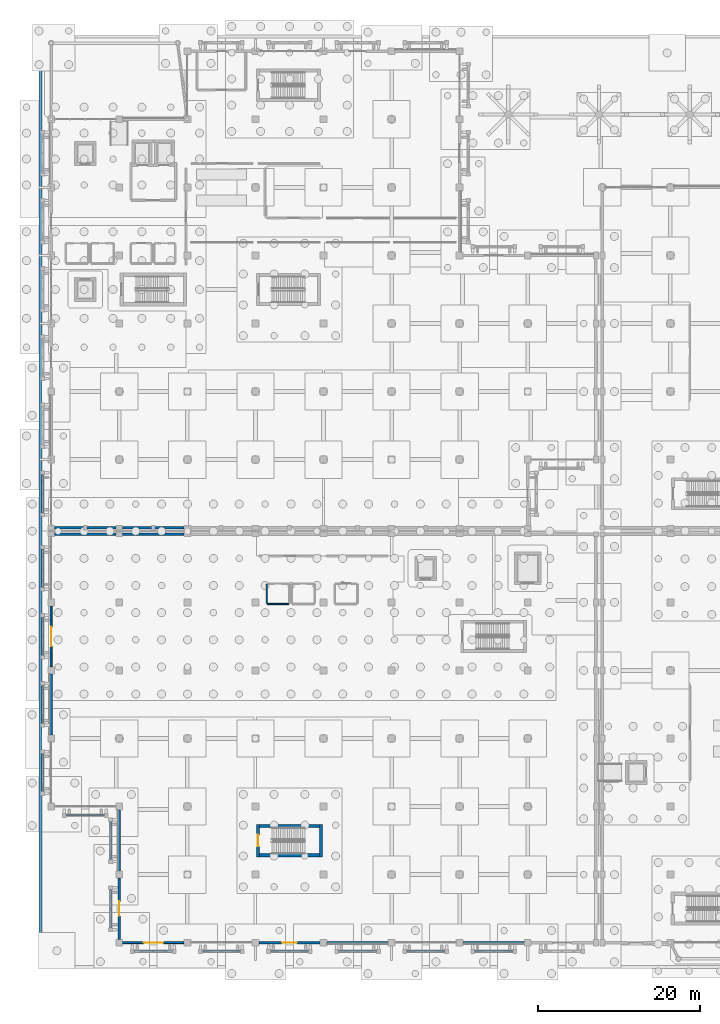
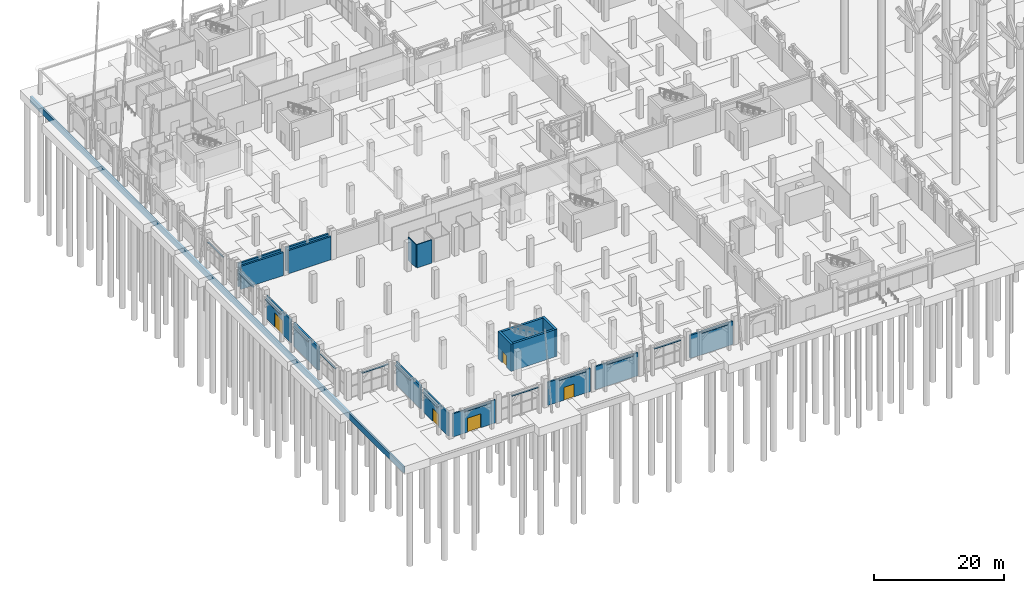
# One storey, part 61 of 98: 33 walls, 5 doors, 5 openings.
"""IFC4 building model written with IfcOpenShell, lengths in metres."""

from ifc_helpers import new_model, si_unit, direction, frame, frame_2d, origin, place, context, subcontext, project, spatial, rectangle, extrude, material, layer, layer_set, type_object, element, fill, save


model = new_model("IFC4")

# Units and contexts
model_context = context("Model", 3, precision=1e-05, world=origin(), true_north=direction((0.0, 1.0)))
body_context = subcontext(model_context, "Body", "Model", "MODEL_VIEW")
ifc_project = project(units=[si_unit("LENGTHUNIT", "METRE"), si_unit("AREAUNIT", "SQUARE_METRE"), si_unit("VOLUMEUNIT", "CUBIC_METRE"), si_unit("PLANEANGLEUNIT", "RADIAN"), si_unit("MASSUNIT", "GRAM", prefix="KILO")], contexts=[model_context])

# Site, building, storey
site_placement = place(None, origin())
site = spatial("IfcSite", under=ifc_project, at=site_placement, CompositionType="ELEMENT")
building_placement = place(site_placement, origin())
building = spatial("IfcBuilding", under=site, at=building_placement, Name="Xazarin Passage Department Store", CompositionType="ELEMENT")
storey_placement = place(building_placement, origin())
storey = spatial("IfcBuildingStorey", under=building, at=storey_placement, Name="L00", CompositionType="ELEMENT", Elevation=0.0)

# Wall, opening, door
ifc_material_1 = material(Name="Precast concrete C40/50", Category="concrete")
ifc_layer_1 = layer(ifc_material_1, 0.239990234375)
ifc_layer_set_1 = layer_set([ifc_layer_1], Name="Precast concrete C40/50")
wall_type_1 = type_object("IfcWallType", Name="ARC-W-EXT240", PredefinedType="SOLIDWALL", material=ifc_layer_set_1)
wall_1_placement = place(storey_placement, frame((8.824951171875, 0.0, 0.0), z_axis=(0.0, 0.0, 1.0), x_axis=(1.0, 0.0, 0.0)))
wall_1 = element("IfcWall", 1, at=wall_1_placement, inside=storey, type_object=wall_type_1, Name="L00 V3 Exterior Wall 182", PredefinedType="SOLIDWALL", context=body_context, shape_type="SweptSolid", body=[
    extrude(rectangle(XDim=7.550048828125, YDim=0.239990234375, at=frame_2d((3.77490234375, 0.0))), origin(), (0.0, 0.0, 1.0), 4.330078125),
])
opening_1_placement = place(wall_1_placement, frame((2.574951171875, 0.0, 0.0)))
opening_1 = element("IfcOpeningElement", 2, at=opening_1_placement, cuts=wall_1, Name="Opening ED1", PredefinedType="OPENING", context=body_context, shape_type="SweptSolid", body=[
    extrude(rectangle(XDim=2.39990234375, YDim=2.60009765625, at=frame_2d((1.199951171875, 1.300048828125))), frame((0.0, 0.1298828125, 0.0), z_axis=(0.0, -1.0, 0.0), x_axis=(1.0, 0.0, 0.0)), (0.0, 0.0, 1.0), 0.260009765625),
])
ifc_material_2 = material(Name="Bronze anodised aluminium", Category="aluminium")
door_type_1 = type_object("IfcDoorType", Name="ARC-DR-ENT240", OperationType="NOTDEFINED", PredefinedType="DOOR", material=ifc_material_2)
door_1_placement = place(opening_1_placement, origin())
door_1 = element("IfcDoor", 3, at=door_1_placement, inside=storey, type_object=door_type_1, Name="DR-EXT-015", OperationType="DOUBLE_DOOR_SINGLE_SWING", OverallHeight=2.60009765625, OverallWidth=2.39990234375, PredefinedType="DOOR", context=body_context, shape_type="SweptSolid", body=[
    extrude(rectangle(XDim=2.39990234375, YDim=2.60009765625, at=frame_2d((1.199951171875, 1.300048828125))), frame((0.0, 0.02490234375, 0.0), z_axis=(0.0, -1.0, 0.0), x_axis=(1.0, 0.0, 0.0)), (0.0, 0.0, 1.0), 0.050048828125),
])
fill(opening_1, door_1)

wall_2_placement = place(storey_placement, frame((0.0, 34.02490234375, 0.0), z_axis=(0.0, 0.0, 1.0), x_axis=(0.0, 1.0, 0.0)))
wall_2 = element("IfcWall", 4, at=wall_2_placement, inside=storey, type_object=wall_type_1, Name="L00 V3 Exterior Wall 196", PredefinedType="SOLIDWALL", context=body_context, shape_type="SweptSolid", body=[
    extrude(rectangle(XDim=7.550048828125, YDim=0.239990234375, at=frame_2d((3.77490234375, 0.0))), origin(), (0.0, 0.0, 1.0), 4.330078125),
])
opening_2_placement = place(wall_2_placement, frame((2.574951171875, 0.0, 0.0)))
opening_2 = element("IfcOpeningElement", 5, at=opening_2_placement, cuts=wall_2, Name="Opening ED1", PredefinedType="OPENING", context=body_context, shape_type="SweptSolid", body=[
    extrude(rectangle(XDim=2.39990234375, YDim=2.60009765625, at=frame_2d((1.199951171875, 1.300048828125))), frame((0.0, 0.1298828125, 0.0), z_axis=(0.0, -1.0, 0.0), x_axis=(1.0, 0.0, 0.0)), (0.0, 0.0, 1.0), 0.260009765625),
])
door_2_placement = place(opening_2_placement, origin())
door_2 = element("IfcDoor", 6, at=door_2_placement, inside=storey, type_object=door_type_1, Name="DR-EXT-018", OperationType="DOUBLE_DOOR_SINGLE_SWING", OverallHeight=2.60009765625, OverallWidth=2.39990234375, PredefinedType="DOOR", context=body_context, shape_type="SweptSolid", body=[
    extrude(rectangle(XDim=2.39990234375, YDim=2.60009765625, at=frame_2d((1.199951171875, 1.300048828125))), frame((0.0, 0.02490234375, 0.0), z_axis=(0.0, -1.0, 0.0), x_axis=(1.0, 0.0, 0.0)), (0.0, 0.0, 1.0), 0.050048828125),
])
fill(opening_2, door_2)

ifc_layer_2 = layer(ifc_material_1, 0.260009765625)
ifc_layer_set_2 = layer_set([ifc_layer_2], Name="Precast concrete C40/50")
wall_type_2 = type_object("IfcWallType", Name="ARC-W-EXT260", PredefinedType="SOLIDWALL", material=ifc_layer_set_2)
wall_3_placement = place(storey_placement, frame((25.625, 0.0, 0.0), z_axis=(0.0, 0.0, 1.0), x_axis=(1.0, 0.0, 0.0)))
wall_3 = element("IfcWall", 7, at=wall_3_placement, inside=storey, type_object=wall_type_2, Name="L00 V3 Exterior Wall 183", PredefinedType="SOLIDWALL", context=body_context, shape_type="SweptSolid", body=[
    extrude(rectangle(XDim=7.550048828125, YDim=0.260009765625, at=frame_2d((3.77490234375, 0.0))), origin(), (0.0, 0.0, 1.0), 4.330078125),
])
opening_3_placement = place(wall_3_placement, frame((2.875, 0.0, 0.0)))
opening_3 = element("IfcOpeningElement", 8, at=opening_3_placement, cuts=wall_3, Name="Opening ED4", PredefinedType="OPENING", context=body_context, shape_type="SweptSolid", body=[
    extrude(rectangle(XDim=1.800048828125, YDim=2.39990234375, at=frame_2d((0.89990234375, 1.199951171875))), frame((0.0, 0.139892578125, 0.0), z_axis=(0.0, -1.0, 0.0), x_axis=(1.0, 0.0, 0.0)), (0.0, 0.0, 1.0), 0.280029296875),
])
door_type_2 = type_object("IfcDoorType", Name="ARC-DR-ENT180", OperationType="NOTDEFINED", PredefinedType="DOOR", material=ifc_material_2)
door_3_placement = place(opening_3_placement, origin())
door_3 = element("IfcDoor", 9, at=door_3_placement, inside=storey, type_object=door_type_2, Name="DR-EXT-016", OperationType="DOUBLE_DOOR_SINGLE_SWING", OverallHeight=2.39990234375, OverallWidth=1.800048828125, PredefinedType="DOOR", context=body_context, shape_type="SweptSolid", body=[
    extrude(rectangle(XDim=1.800048828125, YDim=2.39990234375, at=frame_2d((0.89990234375, 1.199951171875))), frame((0.0, 0.02490234375, 0.0), z_axis=(0.0, -1.0, 0.0), x_axis=(1.0, 0.0, 0.0)), (0.0, 0.0, 1.0), 0.050048828125),
])
fill(opening_3, door_3)

wall_4_placement = place(storey_placement, frame((8.39990234375, 0.425048828125, 0.0), z_axis=(0.0, 0.0, 1.0), x_axis=(0.0, 1.0, 0.0)))
wall_4 = element("IfcWall", 10, at=wall_4_placement, inside=storey, type_object=wall_type_2, Name="L00 V3 Exterior Wall 197", PredefinedType="SOLIDWALL", context=body_context, shape_type="SweptSolid", body=[
    extrude(rectangle(XDim=7.550048828125, YDim=0.260009765625, at=frame_2d((3.77490234375, 0.0))), origin(), (0.0, 0.0, 1.0), 4.330078125),
])
opening_4_placement = place(wall_4_placement, frame((2.875, 0.0, 0.0)))
opening_4 = element("IfcOpeningElement", 11, at=opening_4_placement, cuts=wall_4, Name="Opening ED4", PredefinedType="OPENING", context=body_context, shape_type="SweptSolid", body=[
    extrude(rectangle(XDim=1.800048828125, YDim=2.39990234375, at=frame_2d((0.89990234375, 1.199951171875))), frame((0.0, 0.139892578125, 0.0), z_axis=(0.0, -1.0, 0.0), x_axis=(1.0, 0.0, 0.0)), (0.0, 0.0, 1.0), 0.280029296875),
])
door_4_placement = place(opening_4_placement, origin())
door_4 = element("IfcDoor", 12, at=door_4_placement, inside=storey, type_object=door_type_2, Name="DR-EXT-019", OperationType="DOUBLE_DOOR_SINGLE_SWING", OverallHeight=2.39990234375, OverallWidth=1.800048828125, PredefinedType="DOOR", context=body_context, shape_type="SweptSolid", body=[
    extrude(rectangle(XDim=1.800048828125, YDim=2.39990234375, at=frame_2d((0.89990234375, 1.199951171875))), frame((0.0, 0.02490234375, 0.0), z_axis=(0.0, -1.0, 0.0), x_axis=(1.0, 0.0, 0.0)), (0.0, 0.0, 1.0), 0.050048828125),
])
fill(opening_4, door_4)

# Walls
ifc_layer_3 = layer(ifc_material_1, 0.280029296875)
ifc_layer_set_3 = layer_set([ifc_layer_3], Name="Precast concrete C40/50")
wall_type_3 = type_object("IfcWallType", Name="ARC-W-EXT280", PredefinedType="SOLIDWALL", material=ifc_layer_set_3)
for number, where, z_axis, x_axis, name in (
    (13, (34.02490234375, 0.0, 0.0), (0.0, 0.0, 1.0), (1.0, 0.0, 0.0), "L00 V3 Exterior Wall 184"),
    (14, (8.39990234375, 8.824951171875, 0.0), (0.0, 0.0, 1.0), (0.0, 1.0, 0.0), "L00 V3 Exterior Wall 198"),
):
    element("IfcWall", number, at=place(storey_placement, frame(where, z_axis=z_axis, x_axis=x_axis)), inside=storey, type_object=wall_type_3, Name=name, PredefinedType="SOLIDWALL", context=body_context, shape_type="SweptSolid", body=[
        extrude(rectangle(XDim=7.550048828125, YDim=0.280029296875, at=frame_2d((3.77490234375, 0.0))), origin(), (0.0, 0.0, 1.0), 4.330078125),
    ])
ifc_layer_4 = layer(ifc_material_1, 0.300048828125)
ifc_layer_set_4 = layer_set([ifc_layer_4], Name="Precast concrete C40/50")
wall_type_4 = type_object("IfcWallType", Name="ARC-W-EXT300", PredefinedType="SOLIDWALL", material=ifc_layer_set_4)
wall_5_placement = place(storey_placement, frame((50.824951171875, 0.0, 0.0), z_axis=(0.0, 0.0, 1.0), x_axis=(1.0, 0.0, 0.0)))
element("IfcWall", 15, at=wall_5_placement, inside=storey, type_object=wall_type_4, Name="L00 V3 Exterior Wall 185", PredefinedType="SOLIDWALL", context=body_context, shape_type="SweptSolid", body=[
    extrude(rectangle(XDim=7.550048828125, YDim=0.300048828125, at=frame_2d((3.77490234375, 0.0))), origin(), (0.0, 0.0, 1.0), 4.330078125),
])
ifc_material_3 = material(Name="Buff Baku clay brick", Category="masonry")
ifc_layer_5 = layer(ifc_material_3, 0.320068359375)
ifc_layer_set_5 = layer_set([ifc_layer_5], Name="Buff Baku clay brick")
wall_type_5 = type_object("IfcWallType", Name="ARC-W-EXT320", PredefinedType="SOLIDWALL", material=ifc_layer_set_5)
for number, where, z_axis, x_axis, name in (
    (16, (0.425048828125, 51.199951171875, 0.0), (0.0, 0.0, 1.0), (1.0, 0.0, 0.0), "L00 V1 Exterior Wall 001"),
    (17, (8.824951171875, 51.199951171875, 0.0), (0.0, 0.0, 1.0), (1.0, 0.0, 0.0), "L00 V1 Exterior Wall 002"),
):
    element("IfcWall", number, at=place(storey_placement, frame(where, z_axis=z_axis, x_axis=x_axis)), inside=storey, type_object=wall_type_5, Name=name, PredefinedType="SOLIDWALL", context=body_context, shape_type="SweptSolid", body=[
        extrude(rectangle(XDim=7.550048828125, YDim=0.320068359375, at=frame_2d((3.77490234375, 0.0))), origin(), (0.0, 0.0, 1.0), 4.35009765625),
    ])
for number, where, z_axis, x_axis, name in (
    (18, (0.425048828125, 50.39990234375, 0.0), (0.0, 0.0, 1.0), (1.0, 0.0, 0.0), "L00 V3 Exterior Wall 187"),
    (19, (8.824951171875, 50.39990234375, 0.0), (0.0, 0.0, 1.0), (1.0, 0.0, 0.0), "L00 V3 Exterior Wall 188"),
):
    element("IfcWall", number, at=place(storey_placement, frame(where, z_axis=z_axis, x_axis=x_axis)), inside=storey, type_object=wall_type_5, Name=name, PredefinedType="SOLIDWALL", context=body_context, shape_type="SweptSolid", body=[
        extrude(rectangle(XDim=7.550048828125, YDim=0.320068359375, at=frame_2d((3.77490234375, 0.0))), origin(), (0.0, 0.0, 1.0), 4.330078125),
    ])
ifc_material_4 = material(Name="Absheron limestone cladding", Category="masonry")
ifc_layer_6 = layer(ifc_material_4, 0.360107421875)
ifc_layer_set_6 = layer_set([ifc_layer_6], Name="Absheron limestone cladding")
wall_type_6 = type_object("IfcWallType", Name="ARC-W-EXT360", PredefinedType="SOLIDWALL", material=ifc_layer_set_6)
wall_6_placement = place(storey_placement, frame((0.0, 25.625, 0.0), z_axis=(0.0, 0.0, 1.0), x_axis=(0.0, 1.0, 0.0)))
element("IfcWall", 20, at=wall_6_placement, inside=storey, type_object=wall_type_6, Name="L00 V3 Exterior Wall 195", PredefinedType="SOLIDWALL", context=body_context, shape_type="SweptSolid", body=[
    extrude(rectangle(XDim=7.550048828125, YDim=0.360107421875, at=frame_2d((3.77490234375, 0.0))), origin(), (0.0, 0.0, 1.0), 4.330078125),
])
wall_7_placement = place(storey_placement, frame((-1.320068359375, 111.60009765625, -1.5), z_axis=(0.0, 0.0, 1.0), x_axis=(0.0, -1.0, 0.0)))
element("IfcWall", 21, at=wall_7_placement, inside=storey, type_object=wall_type_6, Name="L00 Civic Plaza Limestone Plinth Skirt 4", PredefinedType="SOLIDWALL", context=body_context, shape_type="SweptSolid", body=[
    extrude(rectangle(XDim=114.400146484375, YDim=0.360107421875, at=frame_2d((57.2001953125, 0.0))), origin(), (0.0, 0.0, 1.0), 1.14990234375),
])
ifc_layer_7 = layer(ifc_material_1, 0.2099609375)
ifc_layer_set_7 = layer_set([ifc_layer_7], Name="Precast concrete C40/50")
wall_type_7 = type_object("IfcWallType", Name="ARC-W-PAR210", PredefinedType="PARAPET", material=ifc_layer_set_7)
for number, where, z_axis, x_axis, name in (
    (22, (-1.050048828125, 53.070068359375, 4.780029296875), (0.0, 0.0, 1.0), (0.0, 1.0, 0.0), "L00 V1 Pierced-Arch Spandrel Lintel 0037"),
    (23, (1.8701171875, 15.75, 4.780029296875), (0.0, 0.0, 1.0), (1.0, 0.0, 0.0), "L00 V3 Pierced-Arch Spandrel Lintel 0108"),
    (24, (10.27001953125, -1.050048828125, 4.780029296875), (0.0, 0.0, 1.0), (1.0, 0.0, 0.0), "L00 V3 Pierced-Arch Spandrel Lintel 0110"),
):
    element("IfcWall", number, at=place(storey_placement, frame(where, z_axis=z_axis, x_axis=x_axis)), inside=storey, type_object=wall_type_7, Name=name, PredefinedType="PARAPET", context=body_context, shape_type="SweptSolid", body=[
        extrude(rectangle(XDim=4.659912109375, YDim=0.2099609375, at=frame_2d((2.330078125, 0.0))), origin(), (0.0, 0.0, 1.0), 0.119873046875),
    ])
wall_8_placement = place(storey_placement, frame((18.669921875, -1.050048828125, 4.780029296875), z_axis=(0.0, 0.0, 1.0), x_axis=(1.0, 0.0, 0.0)))
element("IfcWall", 25, at=wall_8_placement, inside=storey, type_object=wall_type_7, Name="L00 V3 Pierced-Arch Spandrel Lintel 0113", PredefinedType="PARAPET", context=body_context, shape_type="SweptSolid", body=[
    extrude(rectangle(XDim=4.66015625, YDim=0.2099609375, at=frame_2d((2.330078125, 0.0))), origin(), (0.0, 0.0, 1.0), 0.119873046875),
])
for number, where, z_axis, x_axis, name in (
    (26, (27.070068359375, -1.050048828125, 4.780029296875), (0.0, 0.0, 1.0), (1.0, 0.0, 0.0), "L00 V3 Pierced-Arch Spandrel Lintel 0116"),
    (27, (35.469970703125, -1.050048828125, 4.780029296875), (0.0, 0.0, 1.0), (1.0, 0.0, 0.0), "L00 V3 Pierced-Arch Spandrel Lintel 0119"),
    (28, (43.8701171875, -1.050048828125, 4.780029296875), (0.0, 0.0, 1.0), (1.0, 0.0, 0.0), "L00 V3 Pierced-Arch Spandrel Lintel 0122"),
    (29, (52.27001953125, -1.050048828125, 4.780029296875), (0.0, 0.0, 1.0), (1.0, 0.0, 0.0), "L00 V3 Pierced-Arch Spandrel Lintel 0125"),
):
    element("IfcWall", number, at=place(storey_placement, frame(where, z_axis=z_axis, x_axis=x_axis)), inside=storey, type_object=wall_type_7, Name=name, PredefinedType="PARAPET", context=body_context, shape_type="SweptSolid", body=[
        extrude(rectangle(XDim=4.659912109375, YDim=0.2099609375, at=frame_2d((2.330078125, 0.0))), origin(), (0.0, 0.0, 1.0), 0.119873046875),
    ])
wall_9_placement = place(storey_placement, frame((-1.050048828125, 18.669921875, 4.780029296875), z_axis=(0.0, 0.0, 1.0), x_axis=(0.0, 1.0, 0.0)))
element("IfcWall", 30, at=wall_9_placement, inside=storey, type_object=wall_type_7, Name="L00 V3 Pierced-Arch Spandrel Lintel 0131", PredefinedType="PARAPET", context=body_context, shape_type="SweptSolid", body=[
    extrude(rectangle(XDim=4.66015625, YDim=0.2099609375, at=frame_2d((2.330078125, 0.0))), origin(), (0.0, 0.0, 1.0), 0.119873046875),
])
for number, where, z_axis, x_axis, name in (
    (31, (-1.050048828125, 27.070068359375, 4.780029296875), (0.0, 0.0, 1.0), (0.0, 1.0, 0.0), "L00 V3 Pierced-Arch Spandrel Lintel 0133"),
    (32, (-1.050048828125, 35.469970703125, 4.780029296875), (0.0, 0.0, 1.0), (0.0, 1.0, 0.0), "L00 V3 Pierced-Arch Spandrel Lintel 0135"),
    (33, (-1.050048828125, 43.8701171875, 4.780029296875), (0.0, 0.0, 1.0), (0.0, 1.0, 0.0), "L00 V3 Pierced-Arch Spandrel Lintel 0137"),
    (34, (7.35009765625, 1.8701171875, 4.780029296875), (0.0, 0.0, 1.0), (0.0, 1.0, 0.0), "L00 V3 Pierced-Arch Spandrel Lintel 0139"),
    (35, (7.35009765625, 10.27001953125, 4.780029296875), (0.0, 0.0, 1.0), (0.0, 1.0, 0.0), "L00 V3 Pierced-Arch Spandrel Lintel 0142"),
):
    element("IfcWall", number, at=place(storey_placement, frame(where, z_axis=z_axis, x_axis=x_axis)), inside=storey, type_object=wall_type_7, Name=name, PredefinedType="PARAPET", context=body_context, shape_type="SweptSolid", body=[
        extrude(rectangle(XDim=4.659912109375, YDim=0.2099609375, at=frame_2d((2.330078125, 0.0))), origin(), (0.0, 0.0, 1.0), 0.119873046875),
    ])
ifc_material_5 = material(Name="Moisture-resistant masonry partition", Category="masonry")
ifc_layer_8 = layer(ifc_material_5, 0.139892578125)
ifc_layer_set_8 = layer_set([ifc_layer_8], Name="Moisture-resistant masonry partition")
wall_type_8 = type_object("IfcWallType", Name="ARC-W-PRT140", PredefinedType="PARTITIONING", material=ifc_layer_set_8)
wall_10_placement = place(storey_placement, frame((26.669921875, 41.800048828125, 0.0), z_axis=(0.0, 0.0, 1.0), x_axis=(1.0, 0.0, 0.0)))
element("IfcWall", 36, at=wall_10_placement, inside=storey, type_object=wall_type_8, Name="L00 Public Male WC Back Wall 0060", PredefinedType="PARTITIONING", context=body_context, shape_type="SweptSolid", body=[
    extrude(rectangle(XDim=2.66015625, YDim=0.139892578125, at=frame_2d((1.330078125, 0.0))), origin(), (0.0, 0.0, 1.0), 4.3798828125),
])
wall_11_placement = place(storey_placement, frame((26.60009765625, 41.8701171875, 0.0), z_axis=(0.0, 0.0, 1.0), x_axis=(0.0, 1.0, 0.0)))
element("IfcWall", 37, at=wall_11_placement, inside=storey, type_object=wall_type_8, Name="L00 Public Male WC Side Wall 0061", PredefinedType="PARTITIONING", context=body_context, shape_type="SweptSolid", body=[
    extrude(rectangle(XDim=2.35986328125, YDim=0.139892578125, at=frame_2d((1.179931640625, 0.0))), origin(), (0.0, 0.0, 1.0), 4.3798828125),
])

# Wall, opening, door
ifc_material_6 = material(Name="Concrete C40/50", Category="concrete")
ifc_layer_9 = layer(ifc_material_6, 0.389892578125)
ifc_layer_set_9 = layer_set([ifc_layer_9], Name="Concrete C40/50")
wall_type_9 = type_object("IfcWallType", Name="STR-W-SHR390", PredefinedType="SHEAR", material=ifc_layer_set_9)
wall_12_placement = place(storey_placement, frame((25.5048828125, 10.590087890625, 0.0), z_axis=(0.0, 0.0, 1.0), x_axis=(0.0, 1.0, 0.0)))
wall_12 = element("IfcWall", 38, at=wall_12_placement, inside=storey, type_object=wall_type_9, Name="L00 Core K8 West Shear Wall", PredefinedType="SHEAR", context=body_context, shape_type="SweptSolid", body=[
    extrude(rectangle(XDim=4.02001953125, YDim=0.389892578125, at=frame_2d((2.010009765625, 0.0))), origin(), (0.0, 0.0, 1.0), 5.080078125),
])
opening_5_placement = place(wall_12_placement, frame((1.31005859375, 0.0, 0.0)))
opening_5 = element("IfcOpeningElement", 39, at=opening_5_placement, cuts=wall_12, Name="Opening FD2", PredefinedType="OPENING", context=body_context, shape_type="SweptSolid", body=[
    extrude(rectangle(XDim=1.39990234375, YDim=2.14990234375, at=frame_2d((0.699951171875, 1.074951171875))), frame((0.0, 0.204833984375, 0.0), z_axis=(0.0, -1.0, 0.0), x_axis=(1.0, 0.0, 0.0)), (0.0, 0.0, 1.0), 0.409912109375),
])
ifc_material_7 = material(Name="Steel S355", Category="steel")
door_type_3 = type_object("IfcDoorType", Name="ARC-DR-STR140", OperationType="NOTDEFINED", PredefinedType="DOOR", material=ifc_material_7)
door_5_placement = place(opening_5_placement, origin())
door_5 = element("IfcDoor", 40, at=door_5_placement, inside=storey, type_object=door_type_3, Name="DR-STR-K8-L00", OperationType="SINGLE_SWING_RIGHT", OverallHeight=2.14990234375, OverallWidth=1.39990234375, PredefinedType="DOOR", context=body_context, shape_type="SweptSolid", body=[
    extrude(rectangle(XDim=1.39990234375, YDim=2.14990234375, at=frame_2d((0.699951171875, 1.074951171875))), frame((0.0, 0.02490234375, 0.0), z_axis=(0.0, -1.0, 0.0), x_axis=(1.0, 0.0, 0.0)), (0.0, 0.0, 1.0), 0.050048828125),
])
fill(opening_5, door_5)

# Walls
wall_13_placement = place(storey_placement, frame((33.294921875, 10.590087890625, 0.0), z_axis=(0.0, 0.0, 1.0), x_axis=(0.0, 1.0, 0.0)))
element("IfcWall", 41, at=wall_13_placement, inside=storey, type_object=wall_type_9, Name="L00 Core K8 East Shear Wall", PredefinedType="SHEAR", context=body_context, shape_type="SweptSolid", body=[
    extrude(rectangle(XDim=4.02001953125, YDim=0.389892578125, at=frame_2d((2.010009765625, 0.0))), origin(), (0.0, 0.0, 1.0), 5.080078125),
])
for number, where, z_axis, x_axis, name in (
    (42, (25.699951171875, 10.784912109375, 0.0), (0.0, 0.0, 1.0), (1.0, 0.0, 0.0), "L00 Core K8 South Shear Wall"),
    (43, (25.699951171875, 14.4150390625, 0.0), (0.0, 0.0, 1.0), (1.0, 0.0, 0.0), "L00 Core K8 North Shear Wall"),
):
    element("IfcWall", number, at=place(storey_placement, frame(where, z_axis=z_axis, x_axis=x_axis)), inside=storey, type_object=wall_type_9, Name=name, PredefinedType="SHEAR", context=body_context, shape_type="SweptSolid", body=[
        extrude(rectangle(XDim=7.400146484375, YDim=0.389892578125, at=frame_2d((3.7001953125, 0.0))), origin(), (0.0, 0.0, 1.0), 5.080078125),
    ])

save(model, "model.ifc")
